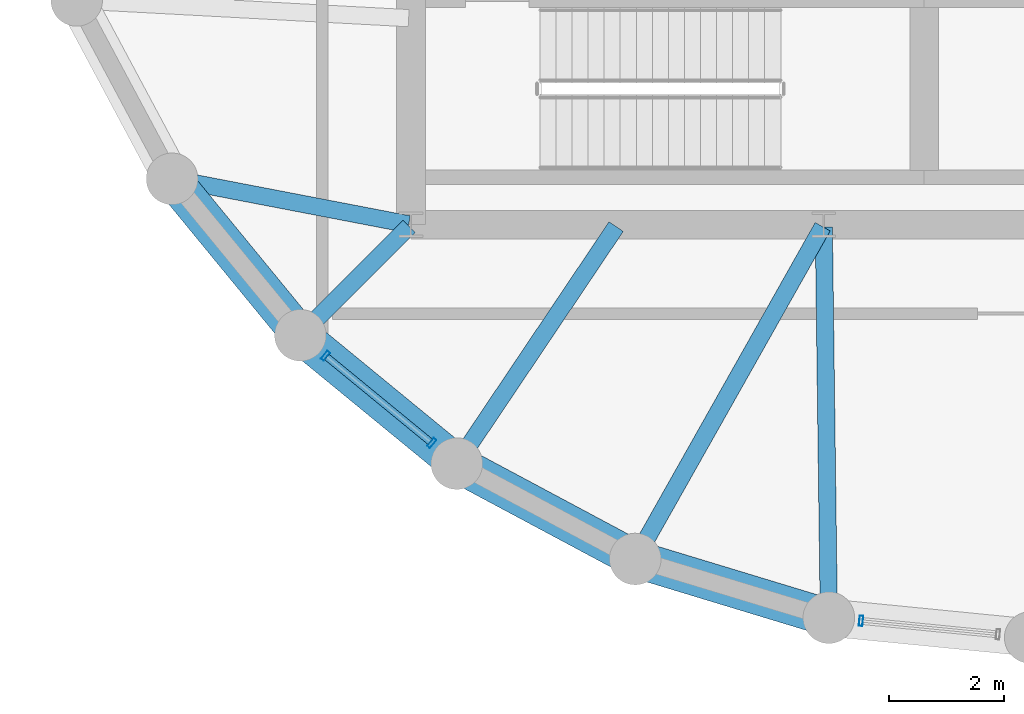
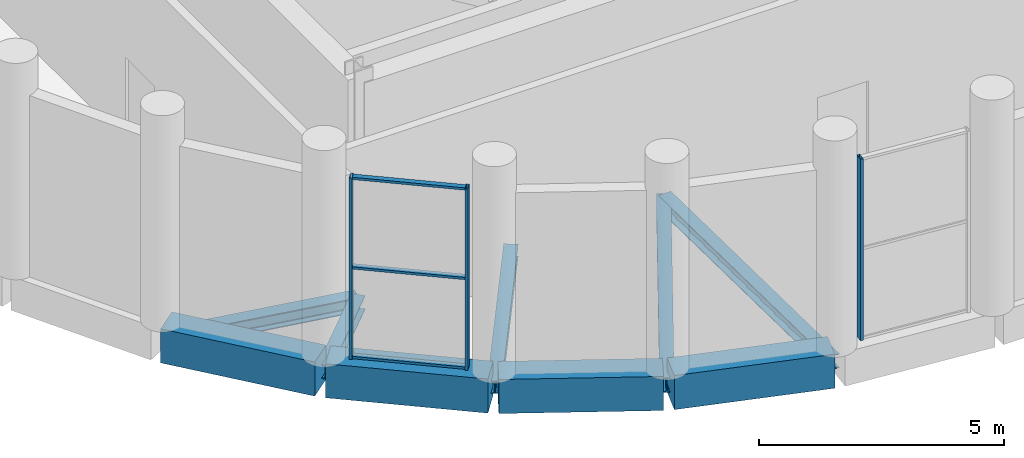
# One storey, part 2 of 19: 9 beams, 6 members, 2 elements without a shape of their own.
"""IFC4 building model written with IfcOpenShell, lengths in metres."""

import ifcopenshell
import ifcopenshell.guid

model = None  # the IFC model being written
_history = None  # IfcOwnerHistory: only IFC2X3 demands one
_inside = {}  # id of a spatial element -> (the spatial element, [elements in it])
_under = {}  # id of a project, library or spatial element -> (it, [spatial elements below it])
_declared = {}  # id of a project -> (the project, [libraries it declares])
_typed = {}  # id of a type object -> (the type object, [elements of that type])
_made_of = {}  # id of a material, layer set ... -> (it, [elements and type objects made of it])


def new_model(schema):
    """Start an empty IFC model of exactly this schema.

    Asked for "IFC4X3", IfcOpenShell would pick the latest addendum, in which some entities
    have other attributes; the version numbers below select the first issue.
    IFC2X3 requires an IfcOwnerHistory on every rooted entity: one is made here for all.
    """
    global model, _history
    if schema == "IFC4X3":
        model = ifcopenshell.file(schema_version=(4, 3, 0, 0))
    else:
        model = ifcopenshell.file(schema=schema)
    _inside.clear()
    _under.clear()
    _declared.clear()
    _typed.clear()
    _made_of.clear()
    _history = None
    if model.schema == "IFC2X3":
        org = make("IfcOrganization", Name="unknown")
        user = make(
            "IfcPersonAndOrganization",
            ThePerson=make("IfcPerson", FamilyName="unknown"),
            TheOrganization=org,
        )
        app = make(
            "IfcApplication",
            ApplicationDeveloper=org,
            Version="unknown",
            ApplicationFullName="unknown",
            ApplicationIdentifier="unknown",
        )
        _history = make(
            "IfcOwnerHistory",
            OwningUser=user,
            OwningApplication=app,
            ChangeAction="ADDED",
            CreationDate=0,
        )
    return model


def make(cls, **values):
    """One entity of the class cls with the attributes given. An attribute that is None is left unset."""
    return model.create_entity(
        cls, **{name: value for name, value in values.items() if value is not None}
    )


def rooted(cls, **values):
    """An entity with a GlobalId (a new one), such as an element, a storey or a relation."""
    return make(cls, GlobalId=ifcopenshell.guid.new(), OwnerHistory=_history, **values)


def si_unit(unit_type, name, prefix=None):
    """IfcSIUnit, for example si_unit("LENGTHUNIT", "METRE", prefix="MILLI")."""
    return make("IfcSIUnit", UnitType=unit_type, Prefix=prefix, Name=name)


def assignment(units):
    """IfcUnitAssignment: the units of a project."""
    return None if units is None else make("IfcUnitAssignment", Units=units)


def point(xyz):
    """IfcCartesianPoint."""
    return None if xyz is None else make("IfcCartesianPoint", Coordinates=xyz)


def direction(xyz):
    """IfcDirection."""
    return None if xyz is None else make("IfcDirection", DirectionRatios=xyz)


def frame(location, z_axis=None, x_axis=None):
    """IfcAxis2Placement3D, a coordinate frame: its origin and axes. An axis left out is left unset."""
    return make(
        "IfcAxis2Placement3D",
        Location=point(location),
        Axis=direction(z_axis),
        RefDirection=direction(x_axis),
    )


def frame_2d(location, x_axis=None):
    """IfcAxis2Placement2D, a coordinate frame in the plane: its origin and x axis."""
    return make(
        "IfcAxis2Placement2D", Location=point(location), RefDirection=direction(x_axis)
    )


def origin():
    """The frame at (0, 0, 0) with its axes left unset."""
    return frame((0.0, 0.0, 0.0))


def origin_2d():
    """The frame at (0, 0) in the plane with its x axis left unset."""
    return frame_2d((0.0, 0.0))


def place(relative_to, where):
    """IfcLocalPlacement: puts the frame where relative to a parent placement (None: the world)."""
    return make(
        "IfcLocalPlacement", PlacementRelTo=relative_to, RelativePlacement=where
    )


def context(
    kind, dimensions, precision=None, world=None, true_north=None, identifier=None
):
    """IfcGeometricRepresentationContext, for example the 3D "Model" context."""
    return make(
        "IfcGeometricRepresentationContext",
        ContextIdentifier=identifier,
        ContextType=kind,
        CoordinateSpaceDimension=dimensions,
        Precision=precision,
        WorldCoordinateSystem=world,
        TrueNorth=true_north,
    )


def subcontext(parent, identifier, kind, view, scale=None):
    """IfcGeometricRepresentationSubContext, for example "Body" below "Model"."""
    return make(
        "IfcGeometricRepresentationSubContext",
        ContextIdentifier=identifier,
        ContextType=kind,
        ParentContext=parent,
        TargetScale=scale,
        TargetView=view,
    )


def project(units=None, contexts=None):
    """IfcProject with its units and contexts."""
    return rooted(
        "IfcProject",
        Name="project",
        RepresentationContexts=contexts,
        UnitsInContext=assignment(units),
    )


def spatial(cls, under=None, at=None, **own):
    """A site, building, storey or space (cls), placed at a placement, below another one or the project."""
    s = rooted(cls, ObjectPlacement=at, **own)
    if under is not None:
        _under.setdefault(under.id(), (under, []))[1].append(s)
    return s


def profile(cls, at=None, kind="AREA", **sizes):
    """A parametric profile (cls). Its sizes go by their IFC names, for example OverallWidth=200.0."""
    return make(cls, ProfileType=kind, Position=at, **sizes)


def rectangle(**sizes):
    """IfcRectangleProfileDef."""
    return profile("IfcRectangleProfileDef", **sizes)


def hollow_rectangle(**sizes):
    """IfcRectangleHollowProfileDef."""
    return profile("IfcRectangleHollowProfileDef", **sizes)


def i_section(**sizes):
    """IfcIShapeProfileDef."""
    return profile("IfcIShapeProfileDef", **sizes)


def extrude(swept, where, along, depth):
    """IfcExtrudedAreaSolid: the profile swept, set in the frame where, extruded along a direction by depth."""
    return make(
        "IfcExtrudedAreaSolid",
        SweptArea=swept,
        Position=where,
        ExtrudedDirection=direction(along),
        Depth=depth,
    )


def shape(context_of_items, identifier, shape_type, items):
    """IfcShapeRepresentation: the items that make up one representation, for example the "Body"."""
    return make(
        "IfcShapeRepresentation",
        ContextOfItems=context_of_items,
        RepresentationIdentifier=identifier,
        RepresentationType=shape_type,
        Items=items,
    )


def material(Name=None, Category=None):
    """IfcMaterial."""
    return make("IfcMaterial", Name=Name, Category=Category)


def layer(
    of_material, thickness, ventilated=None, Name=None, Category=None, Priority=None
):
    """IfcMaterialLayer: one layer of a wall or slab, of a material (None: an air gap)."""
    return make(
        "IfcMaterialLayer",
        Material=of_material,
        LayerThickness=thickness,
        IsVentilated=ventilated,
        Name=Name,
        Category=Category,
        Priority=Priority,
    )


def layer_set(layers, Name=None):
    """IfcMaterialLayerSet."""
    return make("IfcMaterialLayerSet", MaterialLayers=layers, LayerSetName=Name)


def material_profile(
    of_material, cross_section, Name=None, Category=None, Priority=None
):
    """IfcMaterialProfile: a cross section and its material."""
    return make(
        "IfcMaterialProfile",
        Name=Name,
        Material=of_material,
        Profile=cross_section,
        Priority=Priority,
        Category=Category,
    )


def profile_set(profiles, Name=None, composite=None):
    """IfcMaterialProfileSet."""
    return make(
        "IfcMaterialProfileSet",
        Name=Name,
        MaterialProfiles=profiles,
        CompositeProfile=composite,
    )


def made_of(thing, what):
    """Note that an element or type object is made of a material, layer set ...; save() writes the relation."""
    if what is not None:
        _made_of.setdefault(what.id(), (what, []))[1].append(thing)
    return thing


def type_object(cls, material=None, **own):
    """A type object (cls), such as IfcWallType, which elements share."""
    return made_of(rooted(cls, **own), material)


def element(
    cls,
    number,
    at=None,
    inside=None,
    cuts=None,
    type_object=None,
    material=None,
    context=None,
    identifier="Body",
    shape_type=None,
    held_by="IfcProductDefinitionShape",
    body=None,
    shapes=None,
    **own,
):
    """One element of the class cls, such as IfcWall. Its Tag is "e" and its number.

    at: its placement. inside: the storey or other place that contains it. cuts: it is an
    opening in that element (IfcRelVoidsElement). A single representation is given by context,
    identifier, shape_type and body (its items); several are given by shapes. held_by: the class
    of the entity that holds the representations. save() writes the other relations.
    """
    e = rooted(cls, Tag="e%d" % number, ObjectPlacement=at, **own)
    if body is not None:
        shapes = [shape(context, identifier, shape_type, body)]
    if shapes is not None:
        e.Representation = make(held_by, Representations=shapes)
    if inside is not None:
        _inside.setdefault(inside.id(), (inside, []))[1].append(e)
    if cuts is not None:
        rooted(
            "IfcRelVoidsElement", RelatingBuildingElement=cuts, RelatedOpeningElement=e
        )
    if type_object is not None:
        _typed.setdefault(type_object.id(), (type_object, []))[1].append(e)
    return made_of(e, material)


def aggregate(whole, parts):
    """IfcRelAggregates: a whole, such as a stair, and the parts it consists of."""
    return rooted("IfcRelAggregates", RelatingObject=whole, RelatedObjects=parts)


def save(model, path):
    """Write the relations noted so far, then the file.

    IfcRelAggregates (storeys below a building ...), IfcRelContainedInSpatialStructure (elements
    in a storey), IfcRelDefinesByType, IfcRelAssociatesMaterial and IfcRelDeclares: one each for
    every whole, place, type object, material and project.
    """
    for whole, parts in _under.values():
        aggregate(whole, parts)
    for where, things in _inside.values():
        rooted(
            "IfcRelContainedInSpatialStructure",
            RelatedElements=things,
            RelatingStructure=where,
        )
    for kind, things in _typed.values():
        rooted("IfcRelDefinesByType", RelatedObjects=things, RelatingType=kind)
    for what, things in _made_of.values():
        rooted("IfcRelAssociatesMaterial", RelatedObjects=things, RelatingMaterial=what)
    for by, libraries in _declared.values():
        rooted("IfcRelDeclares", RelatingContext=by, RelatedDefinitions=libraries)
    model.write(path)


model = new_model("IFC4")

# Units and contexts
model_context = context("Model", 3, precision=1e-05, world=origin(), true_north=direction((0.0, 1.0)))
body_context = subcontext(model_context, "Body", "Model", "MODEL_VIEW")
ifc_project = project(units=[si_unit("LENGTHUNIT", "METRE"), si_unit("AREAUNIT", "SQUARE_METRE"), si_unit("VOLUMEUNIT", "CUBIC_METRE"), si_unit("PLANEANGLEUNIT", "RADIAN"), si_unit("MASSUNIT", "GRAM", prefix="KILO")], contexts=[model_context])

# Site, building, storey
site_placement = place(None, origin())
site = spatial("IfcSite", under=ifc_project, at=site_placement, CompositionType="ELEMENT")
building_placement = place(site_placement, origin())
building = spatial("IfcBuilding", under=site, at=building_placement, Name="Solnavia Interchange Tower", CompositionType="ELEMENT")
storey_placement = place(building_placement, frame((0.0, 0.0, 169.39990234375)))
storey = spatial("IfcBuildingStorey", under=building, at=storey_placement, Name="L42", CompositionType="ELEMENT", Elevation=169.39990234375)

# Beams
ifc_material_1 = material(Name="Steel S460", Category="steel")
ifc_material_profile_1 = material_profile(ifc_material_1, i_section(OverallWidth=0.300048828125, OverallDepth=0.360107421875, WebThickness=0.012451171875, FlangeThickness=0.0224609375, FilletRadius=0.027099609375, at=origin_2d()), Name="HEB 360")
ifc_profile_set_1 = profile_set([ifc_material_profile_1], Name="Steel S460")
beam_type_1 = type_object("IfcBeamType", Name="Beam-Girder-HEB360", PredefinedType="BEAM", material=ifc_profile_set_1)
beam_1_placement = place(storey_placement, frame((10.3125, 11.5849609375, -0.5), z_axis=(0.982057527796, -0.188581579428, 0.0), x_axis=(0.188581579428, 0.982057527796, 0.0)))
element("IfcBeam", 1, at=beam_1_placement, inside=storey, type_object=beam_type_1, Name="GRD-L42-DR16 Drum radial floor girder", PredefinedType="BEAM", context=body_context, shape_type="SweptSolid", body=[
    extrude(i_section(OverallWidth=0.300048828125, OverallDepth=0.360107421875, WebThickness=0.012451171875, FlangeThickness=0.0224609375, FilletRadius=0.027099609375, at=origin_2d()), origin(), (0.0, 0.0, 1.0), 4.1220703125),
])
beam_2_placement = place(storey_placement, frame((18.351318359375, 5.039794921875, -0.5), z_axis=(0.491243158486, 0.871022479182, 0.0), x_axis=(-0.871022479182, 0.491243158486, 0.0)))
element("IfcBeam", 2, at=beam_2_placement, inside=storey, type_object=beam_type_1, Name="GRD-L42-DR19 Drum radial floor girder", PredefinedType="BEAM", context=body_context, shape_type="SweptSolid", body=[
    extrude(i_section(OverallWidth=0.300048828125, OverallDepth=0.360107421875, WebThickness=0.012451171875, FlangeThickness=0.0224609375, FilletRadius=0.027099609375, at=origin_2d()), origin(), (0.0, 0.0, 1.0), 6.5732421875),
])
ifc_material_2 = material(Name="Steel S355", Category="steel")
ifc_material_profile_2 = material_profile(ifc_material_2, i_section(OverallWidth=0.300048828125, OverallDepth=0.31005859375, WebThickness=0.009033203125, FlangeThickness=0.015380859375, FilletRadius=0.027099609375, at=origin_2d()), Name="HEA 320")
ifc_profile_set_2 = profile_set([ifc_material_profile_2], Name="Steel S355")
beam_type_2 = type_object("IfcBeamType", Name="Beam-Primary-HEA320", PredefinedType="BEAM", material=ifc_profile_set_2)
beam_3_placement = place(storey_placement, frame((15.24462890625, 6.700439453125, -0.474853515625), z_axis=(0.557835474219, 0.829951555033, 0.0), x_axis=(-0.829951555033, 0.557835474219, 0.0)))
element("IfcBeam", 3, at=beam_3_placement, inside=storey, type_object=beam_type_2, Name="GRD-L42-DR18 Drum radial floor girder", PredefinedType="BEAM", context=body_context, shape_type="SweptSolid", body=[
    extrude(i_section(OverallWidth=0.300048828125, OverallDepth=0.31005859375, WebThickness=0.009033203125, FlangeThickness=0.015380859375, FilletRadius=0.027099609375, at=origin_2d()), origin(), (0.0, 0.0, 1.0), 4.899658203125),
])
ifc_material_profile_3 = material_profile(ifc_material_2, i_section(OverallWidth=0.300048828125, OverallDepth=0.35009765625, WebThickness=0.010009765625, FlangeThickness=0.017578125, FilletRadius=0.027099609375, at=origin_2d()), Name="HEA 360")
ifc_profile_set_3 = profile_set([ifc_material_profile_3], Name="Steel S355")
beam_type_3 = type_object("IfcBeamType", Name="Beam-Primary-HEA360", PredefinedType="BEAM", material=ifc_profile_set_3)
beam_4_placement = place(storey_placement, frame((12.528564453125, 8.9287109375, -0.494873046875), z_axis=(0.707106781187, 0.707106781187, 0.0), x_axis=(-0.707106781187, 0.707106781187, 0.0)))
element("IfcBeam", 4, at=beam_4_placement, inside=storey, type_object=beam_type_3, Name="GRD-L42-DR17 Drum radial floor girder", PredefinedType="BEAM", context=body_context, shape_type="SweptSolid", body=[
    extrude(i_section(OverallWidth=0.300048828125, OverallDepth=0.35009765625, WebThickness=0.010009765625, FlangeThickness=0.017578125, FilletRadius=0.027099609375, at=origin_2d()), origin(), (0.0, 0.0, 1.0), 2.6064453125),
])
beam_5_placement = place(storey_placement, frame((21.68701171875, 4.02587890625, -0.494873046875), z_axis=(-0.01283293513, 0.999917654498, 0.0), x_axis=(-0.999917654498, -0.01283293513, 0.0)))
element("IfcBeam", 5, at=beam_5_placement, inside=storey, type_object=beam_type_3, Name="GRD-L42-DR20 Drum radial floor girder", PredefinedType="BEAM", context=body_context, shape_type="SweptSolid", body=[
    extrude(i_section(OverallWidth=0.300048828125, OverallDepth=0.35009765625, WebThickness=0.010009765625, FlangeThickness=0.017578125, FilletRadius=0.027099609375, at=origin_2d()), origin(), (0.0, 0.0, 1.0), 6.734619140625),
])
ifc_material_3 = material(Name="Concrete C50/60", Category="concrete")
ifc_material_profile_4 = material_profile(ifc_material_3, rectangle(XDim=0.64990234375, YDim=0.85009765625, at=origin_2d()), Name="RC 650x850")
ifc_profile_set_4 = profile_set([ifc_material_profile_4], Name="Concrete C50/60")
beam_type_4 = type_object("IfcBeamType", Name="Beam-Spandrel-RC650x850", PredefinedType="SPANDREL", material=ifc_profile_set_4)
for number, where, z_axis, x_axis, name in (
    (6, (10.28466796875, 11.5380859375, -0.4248046875), (0.634298841675, -0.773087950656, 0.0), (0.773087950656, 0.634298841675, 0.0), "SPB-L42-04 Framed-tube perimeter spandrel beam"),
    (7, (12.53369140625, 8.8212890625, -0.4248046875), (0.773152644452, -0.634219984214, 0.0), (0.634219984214, 0.773152644452, 0.0), "SPB-L42-05 Framed-tube perimeter spandrel beam"),
):
    element("IfcBeam", number, at=place(storey_placement, frame(where, z_axis=z_axis, x_axis=x_axis)), inside=storey, type_object=beam_type_4, Name=name, PredefinedType="SPANDREL", context=body_context, shape_type="SweptSolid", body=[
        extrude(rectangle(XDim=0.64990234375, YDim=0.85009765625, at=origin_2d()), origin(), (0.0, 0.0, 1.0), 3.36865234375),
    ])
beam_6_placement = place(storey_placement, frame((15.2705078125, 6.59619140625, -0.4248046875), z_axis=(0.881875044348, -0.47148319817, 0.0), x_axis=(0.47148319817, 0.881875044348, 0.0)))
element("IfcBeam", 8, at=beam_6_placement, inside=storey, type_object=beam_type_4, Name="SPB-L42-06 Framed-tube perimeter spandrel beam", PredefinedType="SPANDREL", context=body_context, shape_type="SweptSolid", body=[
    extrude(rectangle(XDim=0.64990234375, YDim=0.85009765625, at=origin_2d()), origin(), (0.0, 0.0, 1.0), 3.368896484375),
])
beam_7_placement = place(storey_placement, frame((18.388671875, 4.94677734375, -0.4248046875), z_axis=(0.956943884494, -0.290272978297, 0.0), x_axis=(0.290272978297, 0.956943884494, 0.0)))
element("IfcBeam", 9, at=beam_7_placement, inside=storey, type_object=beam_type_4, Name="SPB-L42-07 Framed-tube perimeter spandrel beam", PredefinedType="SPANDREL", context=body_context, shape_type="SweptSolid", body=[
    extrude(rectangle(XDim=0.64990234375, YDim=0.85009765625, at=origin_2d()), origin(), (0.0, 0.0, 1.0), 3.36767578125),
])

# Curtain wall, members
ifc_material_4 = material(Name="Aluminium Alloy 6063-T6", Category="aluminium")
ifc_layer = layer(ifc_material_4, 0.199951171875)
ifc_layer_set = layer_set([ifc_layer], Name="Aluminium Alloy 6063-T6")
curtain_wall_type = type_object("IfcCurtainWallType", Name="CurtainWall-Louvre-CTW5", PredefinedType="NOTDEFINED", material=ifc_layer_set)
curtain_wall_1_placement = place(storey_placement, origin())
curtain_wall_1 = element("IfcCurtainWall", 10, at=curtain_wall_1_placement, inside=storey, type_object=curtain_wall_type, Name="CTW-L42-L51 CTW-5 curtain wall", PredefinedType="NOTDEFINED")
ifc_material_profile_5 = material_profile(ifc_material_4, hollow_rectangle(XDim=0.06494140625, YDim=0.179931640625, WallThickness=0.00439453125, at=origin_2d()), Name="ALU 180x65x4.5")
ifc_profile_set_5 = profile_set([ifc_material_profile_5], Name="Aluminium Alloy 6063-T6")
member_type_1 = type_object("IfcMemberType", Name="CW-Mullion-CWM-5", PredefinedType="MULLION", material=ifc_profile_set_5)
member_1_placement = place(storey_placement, frame((12.908935546875, 8.513671875, 0.0), z_axis=(0.0, 0.0, 1.0), x_axis=(0.773102971828, -0.634280533322, 0.0)))
member_1 = element("IfcMember", 11, at=member_1_placement, type_object=member_type_1, Name="CTW-5 mullion 1", PredefinedType="MULLION", context=body_context, shape_type="SweptSolid", body=[
    extrude(hollow_rectangle(XDim=0.06494140625, YDim=0.179931640625, WallThickness=0.00439453125, at=origin_2d()), origin(), (0.0, 0.0, 1.0), 4.530029296875),
])
member_2_placement = place(storey_placement, frame((14.76318359375, 6.992431640625, 0.0), z_axis=(0.0, 0.0, 1.0), x_axis=(0.773102971828, -0.634280533322, 0.0)))
member_2 = element("IfcMember", 12, at=member_2_placement, type_object=member_type_1, Name="CTW-5 mullion 2", PredefinedType="MULLION", context=body_context, shape_type="SweptSolid", body=[
    extrude(hollow_rectangle(XDim=0.06494140625, YDim=0.179931640625, WallThickness=0.00439453125, at=origin_2d()), origin(), (0.0, 0.0, 1.0), 4.530029296875),
])

# Curtain wall, member
curtain_wall_2_placement = place(storey_placement, origin())
curtain_wall_2 = element("IfcCurtainWall", 13, at=curtain_wall_2_placement, inside=storey, type_object=curtain_wall_type, Name="CTW-L42-L54 CTW-5 curtain wall", PredefinedType="NOTDEFINED")
member_3_placement = place(storey_placement, frame((22.250244140625, 3.890625, 0.0), z_axis=(0.0, 0.0, 1.0), x_axis=(0.99518158372, -0.098049046011, 0.0)))
member_3 = element("IfcMember", 14, at=member_3_placement, type_object=member_type_1, Name="CTW-5 mullion 1", PredefinedType="MULLION", context=body_context, shape_type="SweptSolid", body=[
    extrude(hollow_rectangle(XDim=0.06494140625, YDim=0.179931640625, WallThickness=0.00439453125, at=origin_2d()), origin(), (0.0, 0.0, 1.0), 4.530029296875),
])
aggregate(curtain_wall_2, [member_3])

# Member
ifc_material_profile_6 = material_profile(ifc_material_4, hollow_rectangle(XDim=0.06005859375, YDim=0.1201171875, WallThickness=0.00390625, at=origin_2d()), Name="ALU 120x60x4")
ifc_profile_set_6 = profile_set([ifc_material_profile_6], Name="Aluminium Alloy 6063-T6")
member_type_2 = type_object("IfcMemberType", Name="CW-Transom-CWT-5", PredefinedType="USERDEFINED", material=ifc_profile_set_6)
member_4_placement = place(storey_placement, frame((12.933837890625, 8.4931640625, 0.030029296875), z_axis=(0.773103623638, -0.634279738852, 0.0), x_axis=(0.0, 0.0, 1.0)))
member_4 = element("IfcMember", 15, at=member_4_placement, type_object=member_type_2, Name="CTW-5 transom 1.1", ObjectType="TRANSOM", PredefinedType="USERDEFINED", context=body_context, shape_type="SweptSolid", body=[
    extrude(hollow_rectangle(XDim=0.06005859375, YDim=0.1201171875, WallThickness=0.00390625, at=origin_2d()), origin(), (0.0, 0.0, 1.0), 2.333740234375),
])

member_5_placement = place(storey_placement, frame((12.933837890625, 8.4931640625, 2.26513671875), z_axis=(0.773103623638, -0.634279738852, 0.0), x_axis=(0.0, 0.0, 1.0)))
member_5 = element("IfcMember", 16, at=member_5_placement, type_object=member_type_2, Name="CTW-5 transom 1.2", ObjectType="TRANSOM", PredefinedType="USERDEFINED", context=body_context, shape_type="SweptSolid", body=[
    extrude(hollow_rectangle(XDim=0.06005859375, YDim=0.1201171875, WallThickness=0.00390625, at=origin_2d()), origin(), (0.0, 0.0, 1.0), 2.333740234375),
])

member_6_placement = place(storey_placement, frame((12.933837890625, 8.4931640625, 4.5), z_axis=(0.773103623638, -0.634279738852, 0.0), x_axis=(0.0, 0.0, 1.0)))
member_6 = element("IfcMember", 17, at=member_6_placement, type_object=member_type_2, Name="CTW-5 transom 1.3", ObjectType="TRANSOM", PredefinedType="USERDEFINED", context=body_context, shape_type="SweptSolid", body=[
    extrude(hollow_rectangle(XDim=0.06005859375, YDim=0.1201171875, WallThickness=0.00390625, at=origin_2d()), origin(), (0.0, 0.0, 1.0), 2.333740234375),
])

aggregate(curtain_wall_1, [member_1, member_2, member_4, member_5, member_6])

save(model, "model.ifc")
